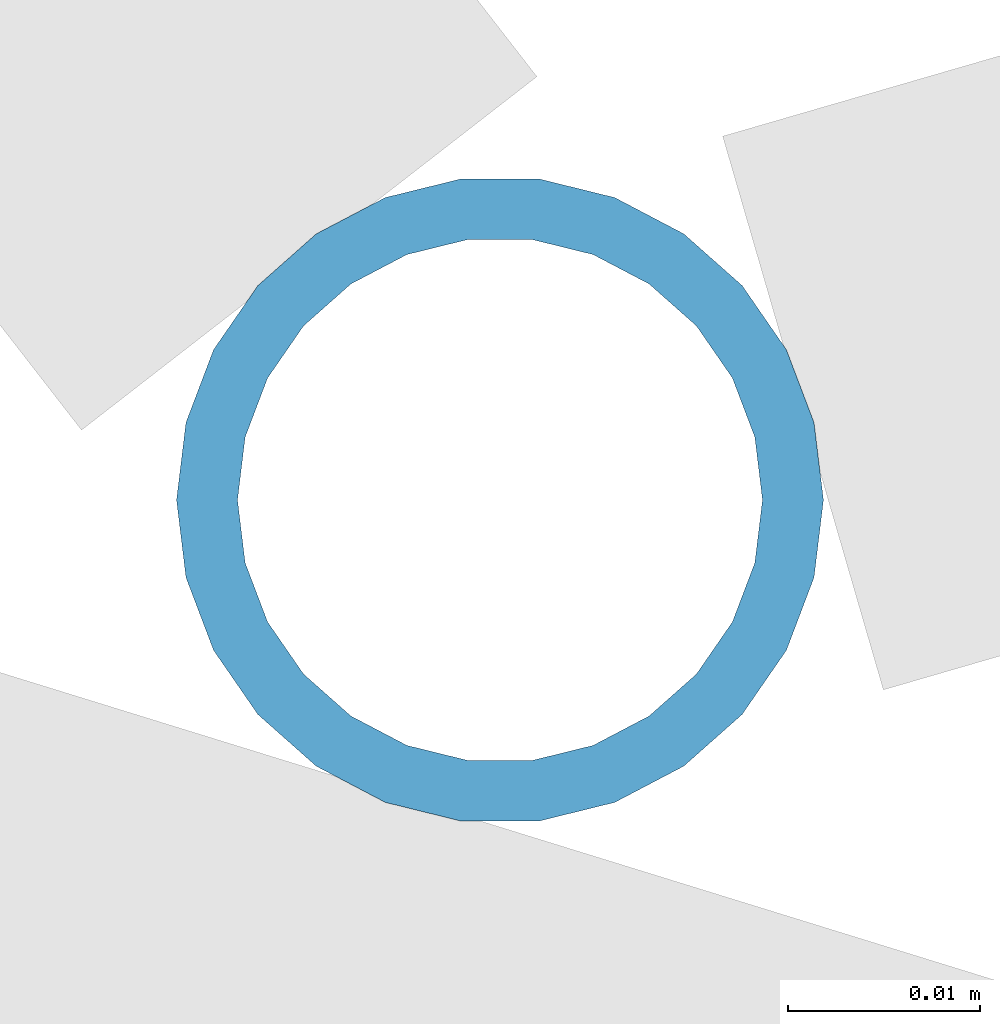
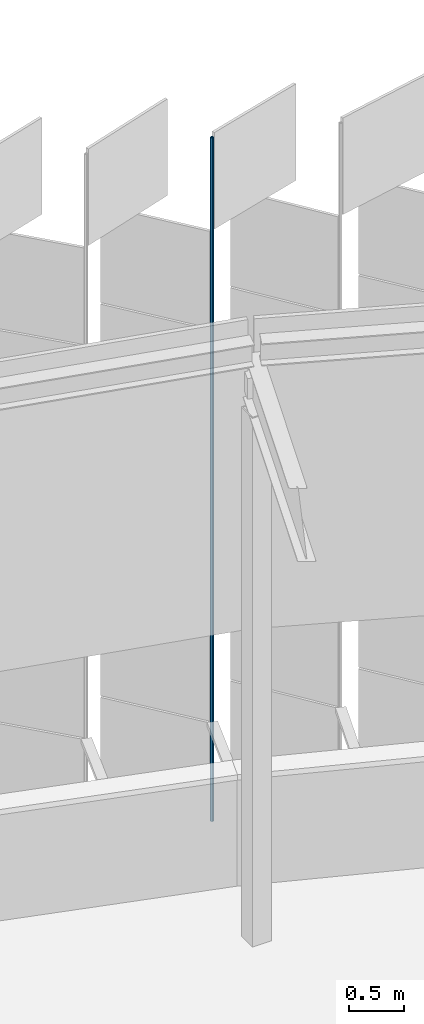
# One storey, part 407 of 483: 1 discrete accessory.
"""IFC4 building model written with IfcOpenShell, lengths in metres."""

from ifc_helpers import new_model, si_unit, direction, frame, origin, origin_2d, place, context, subcontext, project, spatial, hollow_circle, extrude, material, material_profile, profile_set, type_object, element, save


model = new_model("IFC4")

# Units and contexts
model_context = context("Model", 3, precision=1e-05, world=origin(), true_north=direction((0.0, 1.0)))
body_context = subcontext(model_context, "Body", "Model", "MODEL_VIEW")
ifc_project = project(units=[si_unit("LENGTHUNIT", "METRE"), si_unit("AREAUNIT", "SQUARE_METRE"), si_unit("VOLUMEUNIT", "CUBIC_METRE"), si_unit("PLANEANGLEUNIT", "RADIAN"), si_unit("MASSUNIT", "GRAM", prefix="KILO")], contexts=[model_context])

# Site, building, storey
site_placement = place(None, origin())
site = spatial("IfcSite", under=ifc_project, at=site_placement, CompositionType="ELEMENT")
building_placement = place(site_placement, origin())
building = spatial("IfcBuilding", under=site, at=building_placement, Name="Parallax Yard Mobility Hub", CompositionType="ELEMENT")
storey_placement = place(building_placement, frame((0.0, 0.0, 13.199951171875)))
storey = spatial("IfcBuildingStorey", under=building, at=storey_placement, Name="L04", CompositionType="ELEMENT", Elevation=13.199951171875)

# Discrete accessory
ifc_material = material(Name="Steel ASTM A500 Gr C, hot-dip galvanised", Category="steel")
ifc_material_profile = material_profile(ifc_material, hollow_circle(Radius=0.016845703125, WallThickness=0.003173828125, at=origin_2d()), Name="CHS 33.7x3.2")
ifc_profile_set = profile_set([ifc_material_profile], Name="Steel ASTM A500 Gr C, hot-dip galvanised")
discrete_accessory_type = type_object("IfcDiscreteAccessoryType", Name="Hinge post CHS 33.7x3.2", PredefinedType="BRACKET", material=ifc_profile_set)
discrete_accessory_placement = place(storey_placement, frame((188.970703125, 140.71630859375, 0.0), z_axis=(0.0, 0.0, 1.0), x_axis=(1.0, 0.0, 0.0)))
element("IfcDiscreteAccessory", 1, at=discrete_accessory_placement, inside=storey, type_object=discrete_accessory_type, Name="Hinge post bay 49.1 level L04", PredefinedType="BRACKET", context=body_context, shape_type="SweptSolid", body=[
    extrude(hollow_circle(Radius=0.016845703125, WallThickness=0.003173828125, at=origin_2d()), origin(), (0.0, 0.0, 1.0), 7.650146484375),
])

save(model, "model.ifc")
